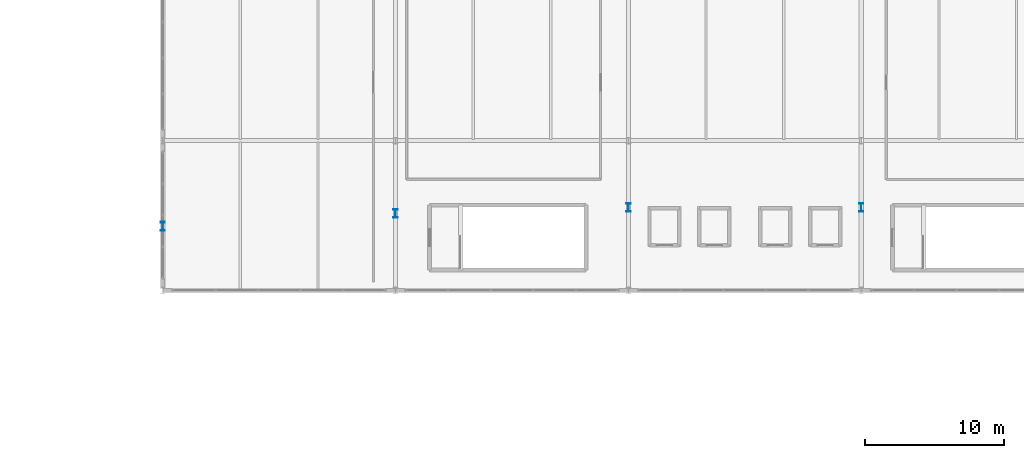
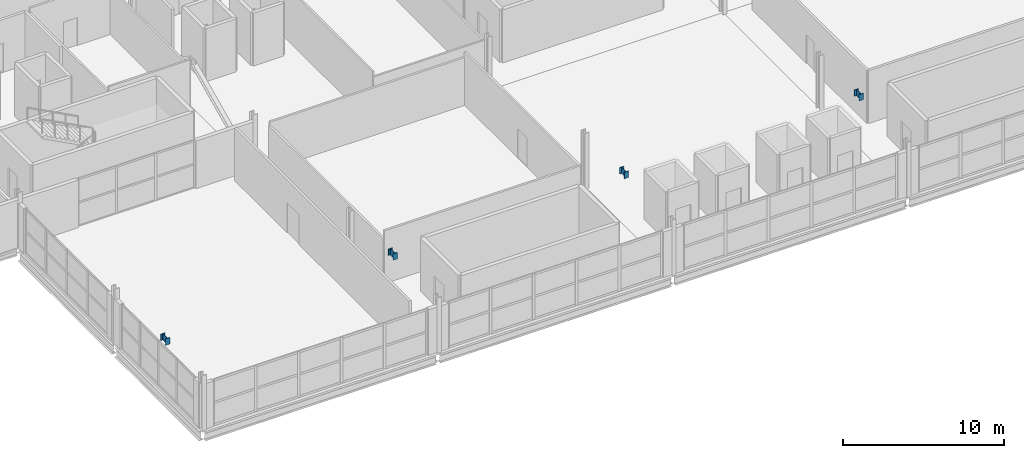
# One storey, part 24 of 39: 4 members.
"""IFC4 building model written with IfcOpenShell, lengths in metres."""

from ifc_helpers import new_model, si_unit, direction, frame, origin, origin_2d, place, context, subcontext, project, spatial, i_section, extrude, material, material_profile, profile_set, type_object, element, save


model = new_model("IFC4")

# Units and contexts
model_context = context("Model", 3, precision=1e-05, world=origin(), true_north=direction((0.0, 1.0)))
body_context = subcontext(model_context, "Body", "Model", "MODEL_VIEW")
ifc_project = project(units=[si_unit("LENGTHUNIT", "METRE"), si_unit("AREAUNIT", "SQUARE_METRE"), si_unit("VOLUMEUNIT", "CUBIC_METRE"), si_unit("PLANEANGLEUNIT", "RADIAN"), si_unit("MASSUNIT", "GRAM", prefix="KILO")], contexts=[model_context])

# Site, building, storey
site_placement = place(None, origin())
site = spatial("IfcSite", under=ifc_project, at=site_placement, CompositionType="ELEMENT")
building_placement = place(site_placement, origin())
building = spatial("IfcBuilding", under=site, at=building_placement, Name="Kimbaza Rail Terminus", CompositionType="ELEMENT")
storey_placement = place(building_placement, frame((0.0, 0.0, 16.800048828125)))
storey = spatial("IfcBuildingStorey", under=building, at=storey_placement, Name="L03", CompositionType="ELEMENT", Elevation=16.800048828125)

# Members
ifc_material = material(Name="Steel S355", Category="steel")
ifc_material_profile = material_profile(ifc_material, i_section(OverallWidth=0.304931640625, OverallDepth=0.6201171875, WebThickness=0.02099609375, FlangeThickness=0.0400390625, FilletRadius=0.027099609375, at=origin_2d()), Name="HEM 600")
ifc_profile_set = profile_set([ifc_material_profile], Name="Steel S355")
member_type = type_object("IfcMemberType", Name="STR-MB-HEM600", PredefinedType="POST", material=ifc_profile_set)
for number, where, z_axis, x_axis, name in (
    (1, (72.0, 84.822509765625, 3.75), (0.0, 0.0, 1.0), (1.0, 0.0, 0.0), "Vault Bridge-Roof Header Pedestal VP-04"),
    (2, (88.800048828125, 85.734375, 3.75), (0.0, 0.0, 1.0), (1.0, 0.0, 0.0), "Vault Bridge-Roof Header Pedestal VP-05"),
    (3, (105.60009765625, 86.189697265625, 3.75), (0.0, 0.0, 1.0), (1.0, 0.0, 0.0), "Vault Bridge-Roof Header Pedestal VP-06"),
    (4, (122.39990234375, 86.189697265625, 3.75), (0.0, 0.0, 1.0), (1.0, 0.0, 0.0), "Vault Bridge-Roof Header Pedestal VP-07"),
):
    element("IfcMember", number, at=place(storey_placement, frame(where, z_axis=z_axis, x_axis=x_axis)), inside=storey, type_object=member_type, Name=name, PredefinedType="POST", context=body_context, shape_type="SweptSolid", body=[
        extrude(i_section(OverallWidth=0.304931640625, OverallDepth=0.6201171875, WebThickness=0.02099609375, FlangeThickness=0.0400390625, FilletRadius=0.027099609375, at=origin_2d()), origin(), (0.0, 0.0, 1.0), 0.48095703125),
    ])

save(model, "model.ifc")
